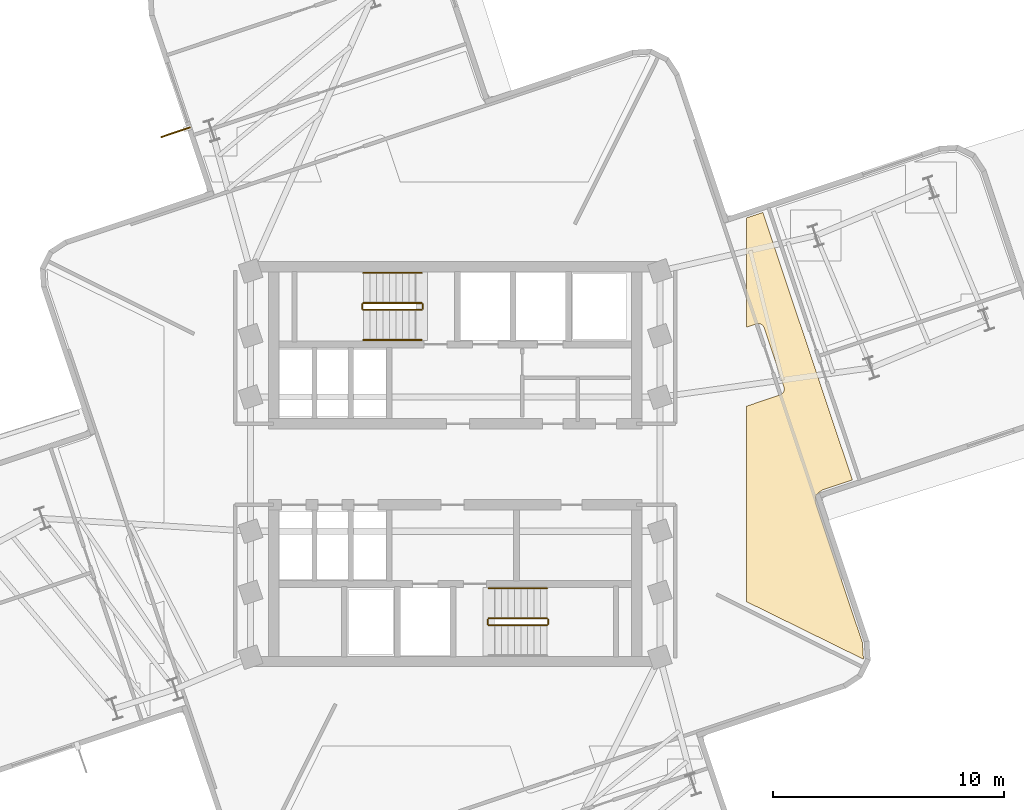
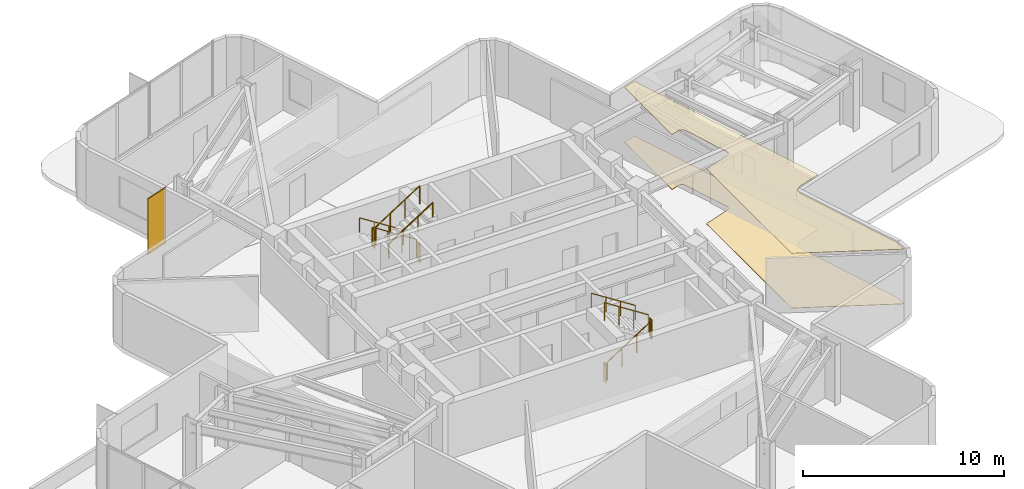
# One storey, part 10 of 11: 11 railings, 2 coverings, 1 shading device.
"""IFC4 building model written with IfcOpenShell, lengths in metres."""

from ifc_helpers import new_model, si_unit, direction, frame, origin, origin_2d, place, context, subcontext, project, spatial, polyline, rectangle, circle, outline, extrude, material, layer, layer_set, type_object, element, save


model = new_model("IFC4")

# Units and contexts
model_context = context("Model", 3, precision=1e-05, world=origin(), true_north=direction((0.0, 1.0)))
body_context = subcontext(model_context, "Body", "Model", "MODEL_VIEW")
ifc_project = project(units=[si_unit("LENGTHUNIT", "METRE"), si_unit("AREAUNIT", "SQUARE_METRE"), si_unit("VOLUMEUNIT", "CUBIC_METRE"), si_unit("PLANEANGLEUNIT", "RADIAN"), si_unit("MASSUNIT", "GRAM", prefix="KILO")], contexts=[model_context])

# Site, building, storey
site_placement = place(None, origin())
site = spatial("IfcSite", under=ifc_project, at=site_placement, CompositionType="ELEMENT")
building_placement = place(site_placement, origin())
building = spatial("IfcBuilding", under=site, at=building_placement, Name="Solmarez Civic Tower", CompositionType="ELEMENT")
storey_placement = place(building_placement, frame((0.0, 0.0, 155.8798828125)))
storey = spatial("IfcBuildingStorey", under=building, at=storey_placement, Name="L41", CompositionType="ELEMENT", Elevation=155.8798828125)

# Coverings
ifc_material_1 = material(Name="Perforated Mineral-Fibre Acoustic Ceiling")
ifc_layer_1 = layer(ifc_material_1, 0.02490234375)
ifc_layer_set_1 = layer_set([ifc_layer_1], Name="Perforated Mineral-Fibre Acoustic Ceiling")
covering_type_1 = type_object("IfcCoveringType", Name="COV-CEIL-ACOUSTIC", PredefinedType="CEILING", material=ifc_layer_set_1)
covering_1_placement = place(storey_placement, frame((0.0, 0.0, 3.315185546875)))
element("IfcCovering", 1, at=covering_1_placement, inside=storey, type_object=covering_type_1, Name="L41 Suspended Acoustic Ceiling 3", PredefinedType="CEILING", context=body_context, shape_type="SweptSolid", body=[
    extrude(outline(polyline([(12.60009765625, 10.64794921875), (12.60009765625, 5.924072265625), (13.01611328125, 6.06298828125), (13.030029296875, 6.068115234375), (13.050048828125, 6.072998046875), (13.054931640625, 6.073974609375), (13.075927734375, 6.076904296875), (13.097900390625, 6.077880859375), (13.10693359375, 6.077880859375), (13.12890625, 6.076904296875), (13.14990234375, 6.073974609375), (13.155029296875, 6.072998046875), (13.159912109375, 6.072021484375), (13.18701171875, 6.06494140625), (13.196044921875, 6.06201171875), (13.215087890625, 6.053955078125), (13.23291015625, 6.044921875), (13.241943359375, 6.0400390625), (13.259033203125, 6.030029296875), (13.27490234375, 6.01708984375), (13.291015625, 6.00390625), (13.298095703125, 5.9970703125), (13.31396484375, 5.97802734375), (13.3291015625, 5.9580078125), (13.333984375, 5.949951171875), (13.347900390625, 5.922119140625), (13.35205078125, 5.9130859375), (13.360107421875, 5.89404296875), (14.216064453125, 3.3359375), (14.220947265625, 3.322021484375), (14.22607421875, 3.302001953125), (14.22705078125, 3.297119140625), (14.22998046875, 3.27587890625), (14.23095703125, 3.25390625), (14.23095703125, 3.2451171875), (14.22998046875, 3.222900390625), (14.22705078125, 3.201904296875), (14.22607421875, 3.197021484375), (14.22509765625, 3.19189453125), (14.218017578125, 3.1650390625), (14.215087890625, 3.156005859375), (14.2060546875, 3.134033203125), (14.195068359375, 3.113037109375), (14.19189453125, 3.10791015625), (14.180908203125, 3.092041015625), (14.169921875, 3.077880859375), (14.1650390625, 3.072021484375), (14.156982421875, 3.06201171875), (14.14306640625, 3.048095703125), (14.126953125, 3.034912109375), (14.111083984375, 3.02294921875), (14.10302734375, 3.01806640625), (14.074951171875, 3.00390625), (14.06591796875, 3.0), (14.047119140625, 2.991943359375), (12.60009765625, 2.508056640625), (12.60009765625, -5.950927734375), (17.65087890625, -8.43505859375), (17.654052734375, -8.428955078125), (17.610107421875, -7.720947265625), (15.611083984375, -1.748046875), (15.60791015625, -1.738037109375), (15.60595703125, -1.73095703125), (15.60009765625, -1.701904296875), (15.59912109375, -1.695068359375), (15.597900390625, -1.68798828125), (15.595947265625, -1.6708984375), (15.5849609375, -1.4990234375), (15.5849609375, -1.485107421875), (15.5849609375, -1.47802734375), (15.5869140625, -1.450927734375), (15.587890625, -1.43896484375), (15.589111328125, -1.431884765625), (15.593994140625, -1.409912109375), (15.595947265625, -1.402099609375), (15.60107421875, -1.385009765625), (15.60693359375, -1.367919921875), (15.610107421875, -1.361083984375), (15.614990234375, -1.35009765625), (15.617919921875, -1.343994140625), (15.6240234375, -1.3330078125), (15.6279296875, -1.325927734375), (15.637939453125, -1.31005859375), (15.64990234375, -1.2939453125), (15.655029296875, -1.2880859375), (15.659912109375, -1.281982421875), (15.673095703125, -1.26708984375), (15.68798828125, -1.25390625), (15.694091796875, -1.2490234375), (15.712890625, -1.235107421875), (15.718994140625, -1.23095703125), (15.862060546875, -1.135986328125), (15.867919921875, -1.132080078125), (15.885009765625, -1.1220703125), (15.903076171875, -1.113037109375), (15.909912109375, -1.110107421875), (15.927001953125, -1.10302734375), (15.93310546875, -1.10107421875), (17.176025390625, -0.68603515625), (13.303955078125, 10.884033203125), (12.60009765625, 10.64794921875)])), origin(), (0.0, 0.0, 1.0), 0.02490234375),
])
ifc_material_2 = material(Name="Polished Tropical Stone Terrazzo Flooring", Category="masonry")
ifc_layer_2 = layer(ifc_material_2, 0.02001953125)
ifc_layer_set_2 = layer_set([ifc_layer_2], Name="Polished Tropical Stone Terrazzo Flooring")
covering_type_2 = type_object("IfcCoveringType", Name="COV-FLOOR-TERRAZZO", PredefinedType="FLOORING", material=ifc_layer_set_2)
covering_2_placement = place(storey_placement, origin())
element("IfcCovering", 2, at=covering_2_placement, inside=storey, type_object=covering_type_2, Name="L41 Terrazzo Floor Finish 3", PredefinedType="FLOORING", context=body_context, shape_type="SweptSolid", body=[
    extrude(outline(polyline([(12.60009765625, 10.64794921875), (12.60009765625, 5.924072265625), (13.01611328125, 6.06298828125), (13.030029296875, 6.068115234375), (13.050048828125, 6.072998046875), (13.054931640625, 6.073974609375), (13.075927734375, 6.076904296875), (13.097900390625, 6.077880859375), (13.10693359375, 6.077880859375), (13.12890625, 6.076904296875), (13.14990234375, 6.073974609375), (13.155029296875, 6.072998046875), (13.159912109375, 6.072021484375), (13.18701171875, 6.06494140625), (13.196044921875, 6.06201171875), (13.215087890625, 6.053955078125), (13.23291015625, 6.044921875), (13.241943359375, 6.0400390625), (13.259033203125, 6.030029296875), (13.27490234375, 6.01708984375), (13.291015625, 6.00390625), (13.298095703125, 5.9970703125), (13.31396484375, 5.97802734375), (13.3291015625, 5.9580078125), (13.333984375, 5.949951171875), (13.347900390625, 5.922119140625), (13.35205078125, 5.9130859375), (13.360107421875, 5.89404296875), (14.216064453125, 3.3359375), (14.220947265625, 3.322021484375), (14.22607421875, 3.302001953125), (14.22705078125, 3.297119140625), (14.22998046875, 3.27587890625), (14.23095703125, 3.25390625), (14.23095703125, 3.2451171875), (14.22998046875, 3.222900390625), (14.22705078125, 3.201904296875), (14.22607421875, 3.197021484375), (14.22509765625, 3.19189453125), (14.218017578125, 3.1650390625), (14.215087890625, 3.156005859375), (14.2060546875, 3.134033203125), (14.195068359375, 3.113037109375), (14.19189453125, 3.10791015625), (14.180908203125, 3.092041015625), (14.169921875, 3.077880859375), (14.1650390625, 3.072021484375), (14.156982421875, 3.06201171875), (14.14306640625, 3.048095703125), (14.126953125, 3.034912109375), (14.111083984375, 3.02294921875), (14.10302734375, 3.01806640625), (14.074951171875, 3.00390625), (14.06591796875, 3.0), (14.047119140625, 2.991943359375), (12.60009765625, 2.508056640625), (12.60009765625, -5.950927734375), (17.65087890625, -8.43505859375), (17.654052734375, -8.428955078125), (17.610107421875, -7.720947265625), (15.611083984375, -1.748046875), (15.60791015625, -1.738037109375), (15.60595703125, -1.73095703125), (15.60009765625, -1.701904296875), (15.59912109375, -1.695068359375), (15.597900390625, -1.68798828125), (15.595947265625, -1.6708984375), (15.5849609375, -1.4990234375), (15.5849609375, -1.485107421875), (15.5849609375, -1.47802734375), (15.5869140625, -1.450927734375), (15.587890625, -1.43896484375), (15.589111328125, -1.431884765625), (15.593994140625, -1.409912109375), (15.595947265625, -1.402099609375), (15.60107421875, -1.385009765625), (15.60693359375, -1.367919921875), (15.610107421875, -1.361083984375), (15.614990234375, -1.35009765625), (15.617919921875, -1.343994140625), (15.6240234375, -1.3330078125), (15.6279296875, -1.325927734375), (15.637939453125, -1.31005859375), (15.64990234375, -1.2939453125), (15.655029296875, -1.2880859375), (15.659912109375, -1.281982421875), (15.673095703125, -1.26708984375), (15.68798828125, -1.25390625), (15.694091796875, -1.2490234375), (15.712890625, -1.235107421875), (15.718994140625, -1.23095703125), (15.862060546875, -1.135986328125), (15.867919921875, -1.132080078125), (15.885009765625, -1.1220703125), (15.903076171875, -1.113037109375), (15.909912109375, -1.110107421875), (15.927001953125, -1.10302734375), (15.93310546875, -1.10107421875), (17.176025390625, -0.68603515625), (13.303955078125, 10.884033203125), (12.60009765625, 10.64794921875)])), origin(), (0.0, 0.0, 1.0), 0.02001953125),
])

# Shading device
ifc_material_3 = material(Name="Bronze Anodised Aluminium EN AW-6063 T6", Category="aluminium")
ifc_layer_3 = layer(ifc_material_3, 0.06005859375)
ifc_layer_set_3 = layer_set([ifc_layer_3], Name="Bronze Anodised Aluminium EN AW-6063 T6")
shading_device_type = type_object("IfcShadingDeviceType", Name="FIN-BRONZE-Z34", PredefinedType="USERDEFINED", material=ifc_layer_set_3)
shading_device_placement = place(storey_placement, frame((-12.094970703125, 14.35693359375, -0.039794921875), z_axis=(0.0, 0.0, 1.0), x_axis=(-0.947338903728, -0.320232730188, 0.0)))
element("IfcShadingDevice", 3, at=shading_device_placement, inside=storey, type_object=shading_device_type, Name="L41 Anodised Bronze Solar Fin FIN-L41-04", ObjectType="FIN", PredefinedType="USERDEFINED", context=body_context, shape_type="SweptSolid", body=[
    extrude(rectangle(XDim=1.35009765625, YDim=0.06005859375, at=origin_2d()), origin(), (0.0, 0.0, 1.0), 3.3798828125),
])

# Railings
ifc_material_4 = material(Name="Painted Steel Stairwell Safety Guard", Category="steel")
railing_type_1 = type_object("IfcRailingType", Name="GUARD-STAIR-1120", PredefinedType="BALUSTRADE", material=ifc_material_4)
railing_1_placement = place(storey_placement, frame((-1.449951171875, 6.969970703125, 0.18017578125)))
element("IfcRailing", 4, at=railing_1_placement, inside=storey, type_object=railing_type_1, Name="L41 ST-1 stair guard 1", PredefinedType="BALUSTRADE", context=body_context, shape_type="SweptSolid", body=[
    extrude(circle(Radius=0.02392578125, at=origin_2d()), frame((0.0, 0.0, 1.09619140625), z_axis=(-0.841199657755, 0.0, 0.540724639528), x_axis=(0.0, -1.0, 0.0)), (0.0, 0.0, 1.0), 2.995849609375),
    extrude(circle(Radius=0.02099609375, at=origin_2d()), origin(), (0.0, 0.0, 1.0), 1.072021484375),
    extrude(circle(Radius=0.02099609375, at=origin_2d()), frame((-0.840087890625, 0.0, 0.5400390625)), (0.0, 0.0, 1.0), 1.072021484375),
    extrude(circle(Radius=0.02099609375, at=origin_2d()), frame((-1.679931640625, 0.0, 1.079833984375)), (0.0, 0.0, 1.0), 1.072021484375),
    extrude(circle(Radius=0.02099609375, at=origin_2d()), frame((-2.52001953125, 0.0, 1.619873046875)), (0.0, 0.0, 1.0), 1.072021484375),
])
railing_2_placement = place(storey_placement, frame((-4.02001953125, 6.919921875, 1.800048828125)))
element("IfcRailing", 5, at=railing_2_placement, inside=storey, type_object=railing_type_1, Name="L41 ST-1 stair guard 2", PredefinedType="BALUSTRADE", context=body_context, shape_type="SweptSolid", body=[
    extrude(circle(Radius=0.02392578125, at=origin_2d()), frame((0.0, 0.0, 1.09619140625), z_axis=(0.0, -1.0, 0.0), x_axis=(1.0, 0.0, 0.0)), (0.0, 0.0, 1.0), 0.199951171875),
    extrude(circle(Radius=0.02099609375, at=origin_2d()), origin(), (0.0, 0.0, 1.0), 1.072021484375),
    extrude(circle(Radius=0.02099609375, at=origin_2d()), frame((0.0, -0.199951171875, 0.0)), (0.0, 0.0, 1.0), 1.072021484375),
])
railing_3_placement = place(storey_placement, frame((-3.969970703125, 6.669921875, 1.980224609375)))
element("IfcRailing", 6, at=railing_3_placement, inside=storey, type_object=railing_type_1, Name="L41 ST-1 stair guard 3", PredefinedType="BALUSTRADE", context=body_context, shape_type="SweptSolid", body=[
    extrude(circle(Radius=0.02392578125, at=origin_2d()), frame((0.0, 0.0, 1.09619140625), z_axis=(0.841199657755, 0.0, 0.540724639528), x_axis=(0.0, 1.0, 0.0)), (0.0, 0.0, 1.0), 2.995849609375),
    extrude(circle(Radius=0.02099609375, at=origin_2d()), origin(), (0.0, 0.0, 1.0), 1.072021484375),
    extrude(circle(Radius=0.02099609375, at=origin_2d()), frame((0.840087890625, 0.0, 0.5400390625)), (0.0, 0.0, 1.0), 1.072021484375),
    extrude(circle(Radius=0.02099609375, at=origin_2d()), frame((1.679931640625, 0.0, 1.079833984375)), (0.0, 0.0, 1.0), 1.072021484375),
    extrude(circle(Radius=0.02099609375, at=origin_2d()), frame((2.52001953125, 0.0, 1.619873046875)), (0.0, 0.0, 1.0), 1.072021484375),
])
railing_4_placement = place(storey_placement, frame((-1.39990234375, 6.919921875, 0.0)))
element("IfcRailing", 7, at=railing_4_placement, inside=storey, type_object=railing_type_1, Name="L41 ST-1 stair guard 4", PredefinedType="BALUSTRADE", context=body_context, shape_type="SweptSolid", body=[
    extrude(circle(Radius=0.02392578125, at=origin_2d()), frame((0.0, 0.0, 1.09619140625), z_axis=(0.0, -1.0, 0.0), x_axis=(1.0, 0.0, 0.0)), (0.0, 0.0, 1.0), 0.199951171875),
    extrude(circle(Radius=0.02099609375, at=origin_2d()), origin(), (0.0, 0.0, 1.0), 1.072021484375),
    extrude(circle(Radius=0.02099609375, at=origin_2d()), frame((0.0, -0.199951171875, 0.0)), (0.0, 0.0, 1.0), 1.072021484375),
])
railing_5_placement = place(storey_placement, frame((1.449951171875, -6.969970703125, 0.18017578125)))
element("IfcRailing", 8, at=railing_5_placement, inside=storey, type_object=railing_type_1, Name="L41 ST-2 stair guard 1", PredefinedType="BALUSTRADE", context=body_context, shape_type="SweptSolid", body=[
    extrude(circle(Radius=0.02392578125, at=origin_2d()), frame((0.0, 0.0, 1.09619140625), z_axis=(0.841199657755, 0.0, 0.540724639528), x_axis=(0.0, 1.0, 0.0)), (0.0, 0.0, 1.0), 2.995849609375),
    extrude(circle(Radius=0.02099609375, at=origin_2d()), origin(), (0.0, 0.0, 1.0), 1.072021484375),
    extrude(circle(Radius=0.02099609375, at=origin_2d()), frame((0.840087890625, 0.0, 0.5400390625)), (0.0, 0.0, 1.0), 1.072021484375),
    extrude(circle(Radius=0.02099609375, at=origin_2d()), frame((1.679931640625, 0.0, 1.079833984375)), (0.0, 0.0, 1.0), 1.072021484375),
    extrude(circle(Radius=0.02099609375, at=origin_2d()), frame((2.52001953125, 0.0, 1.619873046875)), (0.0, 0.0, 1.0), 1.072021484375),
])
railing_6_placement = place(storey_placement, frame((4.02001953125, -6.919921875, 1.800048828125)))
element("IfcRailing", 9, at=railing_6_placement, inside=storey, type_object=railing_type_1, Name="L41 ST-2 stair guard 2", PredefinedType="BALUSTRADE", context=body_context, shape_type="SweptSolid", body=[
    extrude(circle(Radius=0.02392578125, at=origin_2d()), frame((0.0, 0.0, 1.09619140625), z_axis=(0.0, 1.0, 0.0), x_axis=(-1.0, 0.0, 0.0)), (0.0, 0.0, 1.0), 0.199951171875),
    extrude(circle(Radius=0.02099609375, at=origin_2d()), origin(), (0.0, 0.0, 1.0), 1.072021484375),
    extrude(circle(Radius=0.02099609375, at=origin_2d()), frame((0.0, 0.199951171875, 0.0)), (0.0, 0.0, 1.0), 1.072021484375),
])
railing_7_placement = place(storey_placement, frame((3.969970703125, -6.669921875, 1.980224609375)))
element("IfcRailing", 10, at=railing_7_placement, inside=storey, type_object=railing_type_1, Name="L41 ST-2 stair guard 3", PredefinedType="BALUSTRADE", context=body_context, shape_type="SweptSolid", body=[
    extrude(circle(Radius=0.02392578125, at=origin_2d()), frame((0.0, 0.0, 1.09619140625), z_axis=(-0.841199657755, 0.0, 0.540724639528), x_axis=(0.0, -1.0, 0.0)), (0.0, 0.0, 1.0), 2.995849609375),
    extrude(circle(Radius=0.02099609375, at=origin_2d()), origin(), (0.0, 0.0, 1.0), 1.072021484375),
    extrude(circle(Radius=0.02099609375, at=origin_2d()), frame((-0.840087890625, 0.0, 0.5400390625)), (0.0, 0.0, 1.0), 1.072021484375),
    extrude(circle(Radius=0.02099609375, at=origin_2d()), frame((-1.679931640625, 0.0, 1.079833984375)), (0.0, 0.0, 1.0), 1.072021484375),
    extrude(circle(Radius=0.02099609375, at=origin_2d()), frame((-2.52001953125, 0.0, 1.619873046875)), (0.0, 0.0, 1.0), 1.072021484375),
])
railing_8_placement = place(storey_placement, frame((1.39990234375, -6.919921875, 0.0)))
element("IfcRailing", 11, at=railing_8_placement, inside=storey, type_object=railing_type_1, Name="L41 ST-2 stair guard 4", PredefinedType="BALUSTRADE", context=body_context, shape_type="SweptSolid", body=[
    extrude(circle(Radius=0.02392578125, at=origin_2d()), frame((0.0, 0.0, 1.09619140625), z_axis=(0.0, 1.0, 0.0), x_axis=(-1.0, 0.0, 0.0)), (0.0, 0.0, 1.0), 0.199951171875),
    extrude(circle(Radius=0.02099609375, at=origin_2d()), origin(), (0.0, 0.0, 1.0), 1.072021484375),
    extrude(circle(Radius=0.02099609375, at=origin_2d()), frame((0.0, 0.199951171875, 0.0)), (0.0, 0.0, 1.0), 1.072021484375),
])
ifc_material_5 = material(Name="Brushed Stainless Steel Tube Handrail", Category="steel")
railing_type_2 = type_object("IfcRailingType", Name="HANDRAIL-STAIR-900", PredefinedType="HANDRAIL", material=ifc_material_5)
railing_9_placement = place(storey_placement, frame((-1.449951171875, 8.27001953125, 0.18017578125)))
element("IfcRailing", 12, at=railing_9_placement, inside=storey, type_object=railing_type_2, Name="L41 ST-1 stair handrail 1", PredefinedType="HANDRAIL", context=body_context, shape_type="SweptSolid", body=[
    extrude(circle(Radius=0.02392578125, at=origin_2d()), frame((0.0, 0.0, 0.8759765625), z_axis=(-0.841199657755, 0.0, 0.540724639528), x_axis=(0.0, -1.0, 0.0)), (0.0, 0.0, 1.0), 2.995849609375),
    extrude(circle(Radius=0.02099609375, at=origin_2d()), origin(), (0.0, 0.0, 1.0), 0.851806640625),
    extrude(circle(Radius=0.02099609375, at=origin_2d()), frame((-0.840087890625, 0.0, 0.5400390625)), (0.0, 0.0, 1.0), 0.851806640625),
    extrude(circle(Radius=0.02099609375, at=origin_2d()), frame((-1.679931640625, 0.0, 1.079833984375)), (0.0, 0.0, 1.0), 0.851806640625),
    extrude(circle(Radius=0.02099609375, at=origin_2d()), frame((-2.52001953125, 0.0, 1.619873046875)), (0.0, 0.0, 1.0), 0.851806640625),
])
railing_10_placement = place(storey_placement, frame((-3.969970703125, 5.3701171875, 1.980224609375)))
element("IfcRailing", 13, at=railing_10_placement, inside=storey, type_object=railing_type_2, Name="L41 ST-1 stair handrail 2", PredefinedType="HANDRAIL", context=body_context, shape_type="SweptSolid", body=[
    extrude(circle(Radius=0.02392578125, at=origin_2d()), frame((0.0, 0.0, 0.8759765625), z_axis=(0.841199657755, 0.0, 0.540724639528), x_axis=(0.0, 1.0, 0.0)), (0.0, 0.0, 1.0), 2.995849609375),
    extrude(circle(Radius=0.02099609375, at=origin_2d()), origin(), (0.0, 0.0, 1.0), 0.851806640625),
    extrude(circle(Radius=0.02099609375, at=origin_2d()), frame((0.840087890625, 0.0, 0.5400390625)), (0.0, 0.0, 1.0), 0.851806640625),
    extrude(circle(Radius=0.02099609375, at=origin_2d()), frame((1.679931640625, 0.0, 1.079833984375)), (0.0, 0.0, 1.0), 0.851806640625),
    extrude(circle(Radius=0.02099609375, at=origin_2d()), frame((2.52001953125, 0.0, 1.619873046875)), (0.0, 0.0, 1.0), 0.851806640625),
])
railing_11_placement = place(storey_placement, frame((3.969970703125, -5.3701171875, 1.980224609375)))
element("IfcRailing", 14, at=railing_11_placement, inside=storey, type_object=railing_type_2, Name="L41 ST-2 stair handrail 2", PredefinedType="HANDRAIL", context=body_context, shape_type="SweptSolid", body=[
    extrude(circle(Radius=0.02392578125, at=origin_2d()), frame((0.0, 0.0, 0.8759765625), z_axis=(-0.841199657755, 0.0, 0.540724639528), x_axis=(0.0, -1.0, 0.0)), (0.0, 0.0, 1.0), 2.995849609375),
    extrude(circle(Radius=0.02099609375, at=origin_2d()), origin(), (0.0, 0.0, 1.0), 0.851806640625),
    extrude(circle(Radius=0.02099609375, at=origin_2d()), frame((-0.840087890625, 0.0, 0.5400390625)), (0.0, 0.0, 1.0), 0.851806640625),
    extrude(circle(Radius=0.02099609375, at=origin_2d()), frame((-1.679931640625, 0.0, 1.079833984375)), (0.0, 0.0, 1.0), 0.851806640625),
    extrude(circle(Radius=0.02099609375, at=origin_2d()), frame((-2.52001953125, 0.0, 1.619873046875)), (0.0, 0.0, 1.0), 0.851806640625),
])

save(model, "model.ifc")
